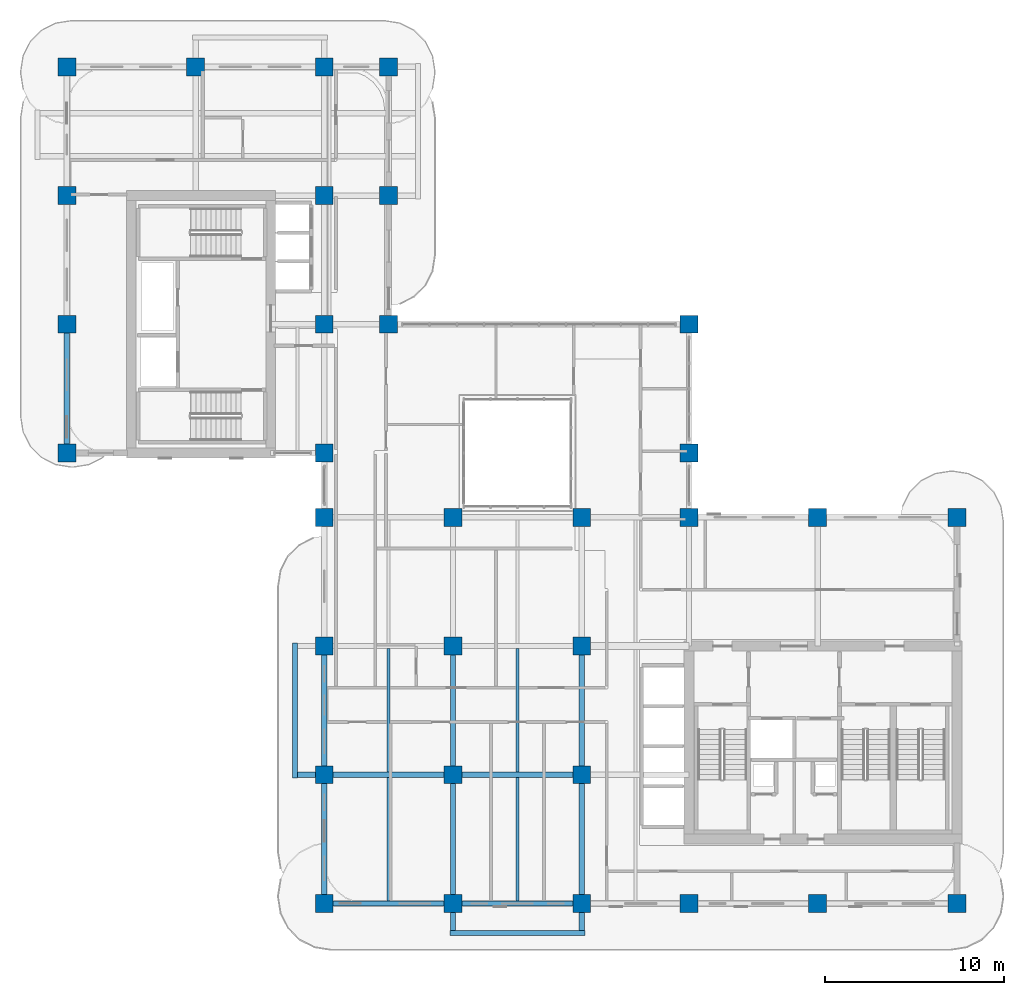
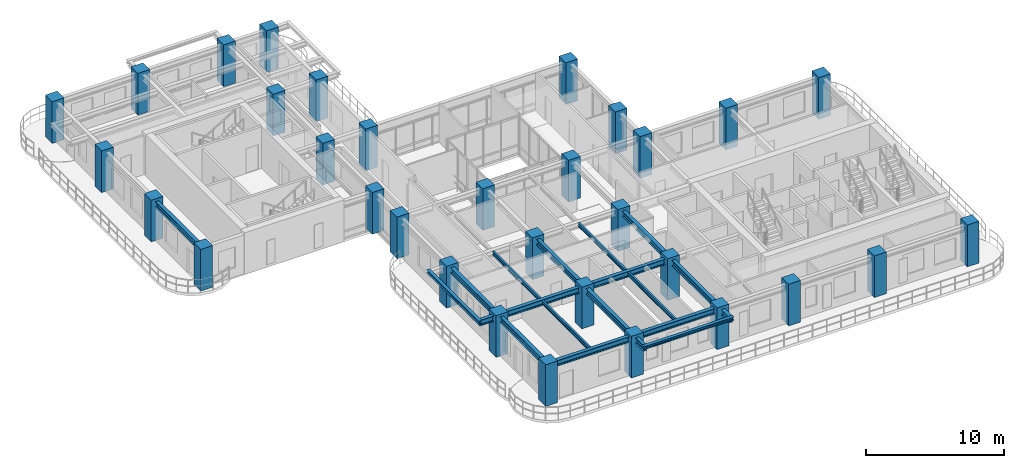
# One storey, part 1 of 20: 32 columns, 17 beams.
"""IFC4 building model written with IfcOpenShell, lengths in metres."""

from ifc_helpers import new_model, si_unit, derived_unit, direction, frame, origin, origin_2d, place, context, subcontext, project, spatial, rectangle, i_section, extrude, source, transform, mapped, material, material_profile, profile_set, type_object, type_shapes, element, save


model = new_model("IFC4")

# Units and contexts
model_context = context("Model", 3, precision=1e-05, world=origin(), true_north=direction((0.0, 1.0)))
body_context = subcontext(model_context, "Body", "Model", "MODEL_VIEW")
ifc_project = project(units=[si_unit("LENGTHUNIT", "METRE"), si_unit("AREAUNIT", "SQUARE_METRE"), si_unit("VOLUMEUNIT", "CUBIC_METRE"), si_unit("PLANEANGLEUNIT", "RADIAN"), si_unit("MASSUNIT", "GRAM", prefix="KILO"), si_unit("THERMODYNAMICTEMPERATUREUNIT", "KELVIN"), si_unit("POWERUNIT", "WATT"), derived_unit("THERMALTRANSMITTANCEUNIT", [(si_unit("POWERUNIT", "WATT"), 1), (si_unit("AREAUNIT", "SQUARE_METRE"), -1), (si_unit("THERMODYNAMICTEMPERATUREUNIT", "KELVIN"), -1)])], contexts=[model_context])

# Site, building, storey
site_placement = place(None, origin())
site = spatial("IfcSite", under=ifc_project, at=site_placement, CompositionType="ELEMENT")
building_placement = place(site_placement, origin())
building = spatial("IfcBuilding", under=site, at=building_placement, Name="Zahravan Archway Hotel and Residences", CompositionType="ELEMENT")
storey_placement = place(building_placement, frame((0.0, 0.0, 137.699951171875)))
storey = spatial("IfcBuildingStorey", under=building, at=storey_placement, Name="L34", CompositionType="ELEMENT", Elevation=137.699951171875)

# Columns
ifc_material_1 = material(Name="Concrete C60/75", Category="concrete")
ifc_material_profile_1 = material_profile(ifc_material_1, rectangle(XDim=1.0, YDim=1.0, at=origin_2d()), Name="RC-COL-1000x1000", Category="concrete")
ifc_profile_set_1 = profile_set([ifc_material_profile_1], Name="Concrete C60/75")
column_type = type_object("IfcColumnType", Name="COL-RC-1000", PredefinedType="COLUMN", material=ifc_profile_set_1)
shared_shape_1 = source(origin(), body_context, "Body", "SweptSolid", [
    extrude(rectangle(XDim=1.0, YDim=1.0, at=origin_2d()), origin(), (0.0, 0.0, 1.0), 3.699951171875),
])
type_shapes(column_type, [shared_shape_1])
for number, where, z_axis, x_axis, name in (
    (1, (0.0, 25.199951171875, 0.0), (0.0, 0.0, 1.0), (1.0, 0.0, 0.0), "L34 Column 1-E"),
    (2, (0.0, 32.39990234375, 0.0), (0.0, 0.0, 1.0), (1.0, 0.0, 0.0), "L34 Column 1-F"),
    (3, (0.0, 39.60009765625, 0.0), (0.0, 0.0, 1.0), (1.0, 0.0, 0.0), "L34 Column 1-G"),
    (4, (0.0, 46.800048828125, 0.0), (0.0, 0.0, 1.0), (1.0, 0.0, 0.0), "L34 Column 1-H"),
    (5, (7.199951171875, 46.800048828125, 0.0), (0.0, 0.0, 1.0), (1.0, 0.0, 0.0), "L34 Column 2-H"),
    (6, (14.39990234375, 0.0, 0.0), (0.0, 0.0, 1.0), (1.0, 0.0, 0.0), "L34 Column 3-A"),
    (7, (14.39990234375, 7.199951171875, 0.0), (0.0, 0.0, 1.0), (1.0, 0.0, 0.0), "L34 Column 3-B"),
    (8, (14.39990234375, 14.39990234375, 0.0), (0.0, 0.0, 1.0), (1.0, 0.0, 0.0), "L34 Column 3-C"),
    (9, (14.39990234375, 21.60009765625, 0.0), (0.0, 0.0, 1.0), (1.0, 0.0, 0.0), "L34 Column 3-D"),
    (10, (14.39990234375, 25.199951171875, 0.0), (0.0, 0.0, 1.0), (1.0, 0.0, 0.0), "L34 Column 3-E"),
    (11, (14.39990234375, 32.39990234375, 0.0), (0.0, 0.0, 1.0), (1.0, 0.0, 0.0), "L34 Column 3-F"),
    (12, (14.39990234375, 39.60009765625, 0.0), (0.0, 0.0, 1.0), (1.0, 0.0, 0.0), "L34 Column 3-G"),
    (13, (14.39990234375, 46.800048828125, 0.0), (0.0, 0.0, 1.0), (1.0, 0.0, 0.0), "L34 Column 3-H"),
    (14, (21.60009765625, 0.0, 0.0), (0.0, 0.0, 1.0), (1.0, 0.0, 0.0), "L34 Column 4-A"),
    (15, (21.60009765625, 7.199951171875, 0.0), (0.0, 0.0, 1.0), (1.0, 0.0, 0.0), "L34 Column 4-B"),
    (16, (21.60009765625, 14.39990234375, 0.0), (0.0, 0.0, 1.0), (1.0, 0.0, 0.0), "L34 Column 4-C"),
    (17, (21.60009765625, 21.60009765625, 0.0), (0.0, 0.0, 1.0), (1.0, 0.0, 0.0), "L34 Column 4-D"),
    (18, (28.800048828125, 0.0, 0.0), (0.0, 0.0, 1.0), (1.0, 0.0, 0.0), "L34 Column 5-A"),
    (19, (28.800048828125, 7.199951171875, 0.0), (0.0, 0.0, 1.0), (1.0, 0.0, 0.0), "L34 Column 5-B"),
    (20, (28.800048828125, 14.39990234375, 0.0), (0.0, 0.0, 1.0), (1.0, 0.0, 0.0), "L34 Column 5-C"),
    (21, (28.800048828125, 21.60009765625, 0.0), (0.0, 0.0, 1.0), (1.0, 0.0, 0.0), "L34 Column 5-D"),
    (22, (34.800048828125, 0.0, 0.0), (0.0, 0.0, 1.0), (1.0, 0.0, 0.0), "L34 Column 6-A"),
    (23, (34.800048828125, 21.60009765625, 0.0), (0.0, 0.0, 1.0), (1.0, 0.0, 0.0), "L34 Column 6-D"),
    (24, (34.800048828125, 25.199951171875, 0.0), (0.0, 0.0, 1.0), (1.0, 0.0, 0.0), "L34 Column 6-E"),
    (25, (34.800048828125, 32.39990234375, 0.0), (0.0, 0.0, 1.0), (1.0, 0.0, 0.0), "L34 Column 6-F"),
    (26, (42.0, 0.0, 0.0), (0.0, 0.0, 1.0), (1.0, 0.0, 0.0), "L34 Column 7-A"),
    (27, (42.0, 21.60009765625, 0.0), (0.0, 0.0, 1.0), (1.0, 0.0, 0.0), "L34 Column 7-D"),
    (28, (49.800048828125, 0.0, 0.0), (0.0, 0.0, 1.0), (1.0, 0.0, 0.0), "L34 Column 8-A"),
    (29, (49.800048828125, 21.60009765625, 0.0), (0.0, 0.0, 1.0), (1.0, 0.0, 0.0), "L34 Column 8-D"),
    (30, (18.0, 32.39990234375, 0.0), (0.0, 0.0, 1.0), (1.0, 0.0, 0.0), "L34 Column 3B-F"),
    (31, (18.0, 39.60009765625, 0.0), (0.0, 0.0, 1.0), (1.0, 0.0, 0.0), "L34 Column 3B-G"),
    (32, (18.0, 46.800048828125, 0.0), (0.0, 0.0, 1.0), (1.0, 0.0, 0.0), "L34 Column 3B-H"),
):
    element("IfcColumn", number, at=place(storey_placement, frame(where, z_axis=z_axis, x_axis=x_axis)), inside=storey, type_object=column_type, Name=name, PredefinedType="COLUMN", context=body_context, shape_type="MappedRepresentation", body=[
        mapped(shared_shape_1, transform((0.0, 0.0, 0.0), scale=1.0)),
    ])

# Beams
ifc_material_2 = material(Name="Structural Steel S355JR", Category="steel")
ifc_material_profile_2 = material_profile(ifc_material_2, i_section(OverallWidth=0.280029296875, OverallDepth=0.280029296875, WebThickness=0.010498046875, FlangeThickness=0.01806640625, FilletRadius=0.02392578125, at=origin_2d()), Name="HEB 280", Category="steel")
ifc_profile_set_2 = profile_set([ifc_material_profile_2], Name="Structural Steel S355JR")
beam_type_1 = type_object("IfcBeamType", Name="BM-SPN-HEB280", PredefinedType="SPANDREL", material=ifc_profile_set_2)
shared_shape_2 = source(origin(), body_context, "Body", "SweptSolid", [
    extrude(i_section(OverallWidth=0.280029296875, OverallDepth=0.280029296875, WebThickness=0.010498046875, FlangeThickness=0.01806640625, FilletRadius=0.02392578125, at=origin_2d()), origin(), (0.0, 0.0, 1.0), 7.56005859375),
])
type_shapes(beam_type_1, [shared_shape_2])
for number, where, z_axis, x_axis, name in (
    (33, (12.75, 7.02001953125, 3.31005859375), (0.0, 1.0, 0.0), (-1.0, 0.0, 0.0), "L35 WA Balcony Edge Spandrel"),
    (34, (21.419921875, -1.64990234375, 3.31005859375), (1.0, 0.0, 0.0), (0.0, 1.0, 0.0), "L35 SA Balcony Edge Spandrel"),
):
    element("IfcBeam", number, at=place(storey_placement, frame(where, z_axis=z_axis, x_axis=x_axis)), inside=storey, type_object=beam_type_1, Name=name, PredefinedType="SPANDREL", context=body_context, shape_type="MappedRepresentation", body=[
        mapped(shared_shape_2, transform((0.0, 0.0, 0.0), scale=1.0)),
    ])
ifc_material_profile_3 = material_profile(ifc_material_2, i_section(OverallWidth=0.300048828125, OverallDepth=0.5, WebThickness=0.014404296875, FlangeThickness=0.028076171875, FilletRadius=0.027099609375, at=origin_2d()), Name="HEB 500", Category="steel")
ifc_profile_set_3 = profile_set([ifc_material_profile_3], Name="Structural Steel S355JR")
beam_type_2 = type_object("IfcBeamType", Name="BM-PRI-HEB500", PredefinedType="BEAM", material=ifc_profile_set_3)
shared_shape_3 = source(origin(), body_context, "Body", "SweptSolid", [
    extrude(i_section(OverallWidth=0.300048828125, OverallDepth=0.5, WebThickness=0.014404296875, FlangeThickness=0.028076171875, FilletRadius=0.027099609375, at=origin_2d()), origin(), (0.0, 0.0, 1.0), 7.2001953125),
])
type_shapes(beam_type_2, [shared_shape_3])
beam_1_placement = place(storey_placement, frame((14.39990234375, 0.0, 3.199951171875), z_axis=(1.0, 0.0, 0.0), x_axis=(0.0, 1.0, 0.0)))
element("IfcBeam", 35, at=beam_1_placement, inside=storey, type_object=beam_type_2, Name="L34 Primary Girder EW-01", PredefinedType="BEAM", context=body_context, shape_type="MappedRepresentation", body=[
    mapped(shared_shape_3, transform((0.0, 0.0, 0.0), scale=1.0)),
])
shared_shape_4 = source(origin(), body_context, "Body", "SweptSolid", [
    extrude(i_section(OverallWidth=0.300048828125, OverallDepth=0.5, WebThickness=0.014404296875, FlangeThickness=0.028076171875, FilletRadius=0.027099609375, at=origin_2d()), origin(), (0.0, 0.0, 1.0), 7.199951171875),
])
for number, where, z_axis, x_axis, name in (
    (36, (21.60009765625, 0.0, 3.199951171875), (1.0, 0.0, 0.0), (0.0, 1.0, 0.0), "L34 Primary Girder EW-02"),
    (37, (21.60009765625, 7.199951171875, 3.199951171875), (1.0, 0.0, 0.0), (0.0, 1.0, 0.0), "L34 Primary Girder EW-07"),
    (38, (0.0, 25.199951171875, 3.199951171875), (0.0, 1.0, 0.0), (-1.0, 0.0, 0.0), "L34 Primary Girder NS-24"),
    (39, (14.39990234375, 0.0, 3.199951171875), (0.0, 1.0, 0.0), (-1.0, 0.0, 0.0), "L34 Primary Girder NS-28"),
    (40, (14.39990234375, 7.199951171875, 3.199951171875), (0.0, 1.0, 0.0), (-1.0, 0.0, 0.0), "L34 Primary Girder NS-29"),
    (41, (21.60009765625, 7.199951171875, 3.199951171875), (0.0, 1.0, 0.0), (-1.0, 0.0, 0.0), "L34 Primary Girder NS-36"),
    (42, (28.800048828125, 7.199951171875, 3.199951171875), (0.0, 1.0, 0.0), (-1.0, 0.0, 0.0), "L34 Primary Girder NS-39"),
):
    element("IfcBeam", number, at=place(storey_placement, frame(where, z_axis=z_axis, x_axis=x_axis)), inside=storey, type_object=beam_type_2, Name=name, PredefinedType="BEAM", context=body_context, shape_type="MappedRepresentation", body=[
        mapped(shared_shape_4, transform((0.0, 0.0, 0.0), scale=1.0)),
    ])
ifc_material_profile_4 = material_profile(ifc_material_2, i_section(OverallWidth=0.159912109375, OverallDepth=0.330078125, WebThickness=0.007568359375, FlangeThickness=0.011474609375, FilletRadius=0.01806640625, at=origin_2d()), Name="IPE 330", Category="steel")
ifc_profile_set_4 = profile_set([ifc_material_profile_4], Name="Structural Steel S355JR")
beam_type_3 = type_object("IfcBeamType", Name="BM-JST-IPE330", PredefinedType="JOIST", material=ifc_profile_set_4)
shared_shape_5 = source(origin(), body_context, "Body", "SweptSolid", [
    extrude(i_section(OverallWidth=0.159912109375, OverallDepth=0.330078125, WebThickness=0.007568359375, FlangeThickness=0.011474609375, FilletRadius=0.01806640625, at=origin_2d()), origin(), (0.0, 0.0, 1.0), 6.904052734375),
])
type_shapes(beam_type_3, [shared_shape_5])
for number, where, z_axis, x_axis, name in (
    (43, (18.0, 0.14794921875, 3.28515625), (0.0, 1.0, 0.0), (-1.0, 0.0, 0.0), "L34 Composite Floor Joist 01"),
    (44, (25.199951171875, 0.14794921875, 3.28515625), (0.0, 1.0, 0.0), (-1.0, 0.0, 0.0), "L34 Composite Floor Joist 02"),
    (45, (18.0, 7.347900390625, 3.28515625), (0.0, 1.0, 0.0), (-1.0, 0.0, 0.0), "L34 Composite Floor Joist 04"),
    (46, (25.199951171875, 7.347900390625, 3.28515625), (0.0, 1.0, 0.0), (-1.0, 0.0, 0.0), "L34 Composite Floor Joist 05"),
):
    element("IfcBeam", number, at=place(storey_placement, frame(where, z_axis=z_axis, x_axis=x_axis)), inside=storey, type_object=beam_type_3, Name=name, PredefinedType="JOIST", context=body_context, shape_type="MappedRepresentation", body=[
        mapped(shared_shape_5, transform((0.0, 0.0, 0.0), scale=1.0)),
    ])
shared_shape_6 = source(origin(), body_context, "Body", "SweptSolid", [
    extrude(i_section(OverallWidth=0.300048828125, OverallDepth=0.5, WebThickness=0.014404296875, FlangeThickness=0.028076171875, FilletRadius=0.027099609375, at=origin_2d()), origin(), (0.0, 0.0, 1.0), 8.85009765625),
])
beam_2_placement = place(storey_placement, frame((12.75, 7.199951171875, 3.199951171875), z_axis=(1.0, 0.0, 0.0), x_axis=(0.0, 1.0, 0.0)))
element("IfcBeam", 47, at=beam_2_placement, inside=storey, type_object=beam_type_2, Name="L34 Primary Girder EW-06", PredefinedType="BEAM", context=body_context, shape_type="MappedRepresentation", body=[
    mapped(shared_shape_6, transform((0.0, 0.0, 0.0), scale=1.0)),
])
shared_shape_7 = source(origin(), body_context, "Body", "SweptSolid", [
    extrude(i_section(OverallWidth=0.300048828125, OverallDepth=0.5, WebThickness=0.014404296875, FlangeThickness=0.028076171875, FilletRadius=0.027099609375, at=origin_2d()), origin(), (0.0, 0.0, 1.0), 8.849853515625),
])
for number, where, z_axis, x_axis, name in (
    (48, (21.60009765625, -1.64990234375, 3.199951171875), (0.0, 1.0, 0.0), (-1.0, 0.0, 0.0), "L34 Primary Girder NS-35"),
    (49, (28.800048828125, -1.64990234375, 3.199951171875), (0.0, 1.0, 0.0), (-1.0, 0.0, 0.0), "L34 Primary Girder NS-38"),
):
    element("IfcBeam", number, at=place(storey_placement, frame(where, z_axis=z_axis, x_axis=x_axis)), inside=storey, type_object=beam_type_2, Name=name, PredefinedType="BEAM", context=body_context, shape_type="MappedRepresentation", body=[
        mapped(shared_shape_7, transform((0.0, 0.0, 0.0), scale=1.0)),
    ])

save(model, "model.ifc")
